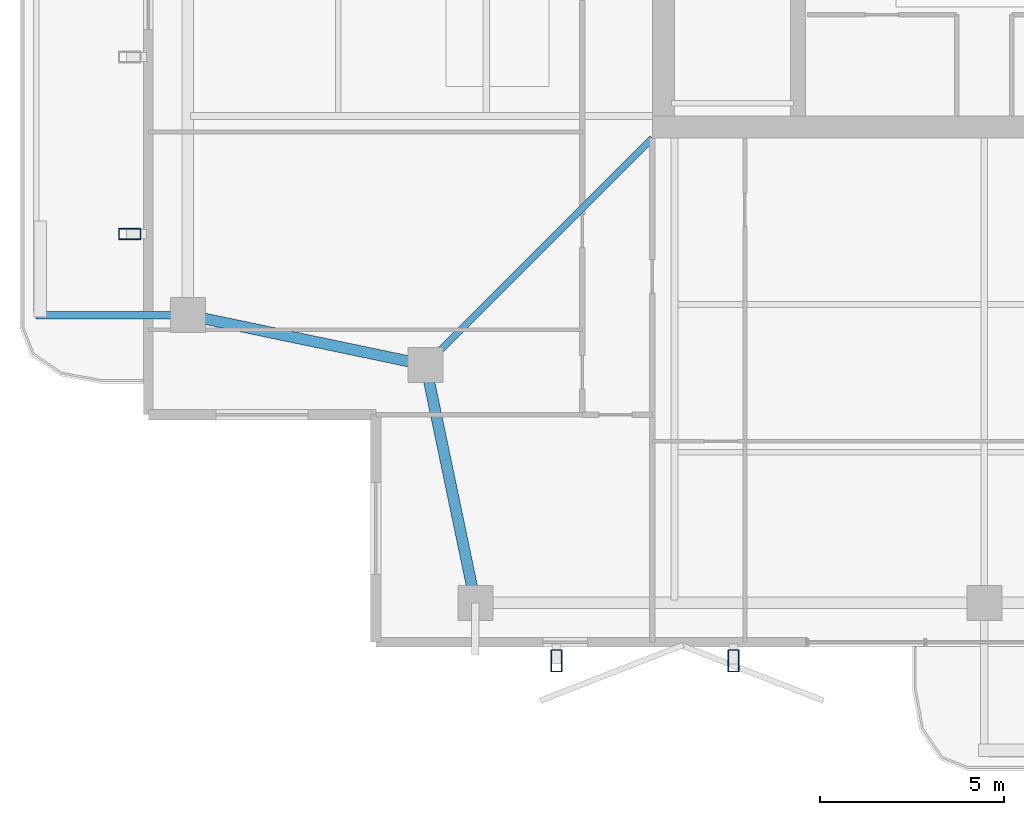
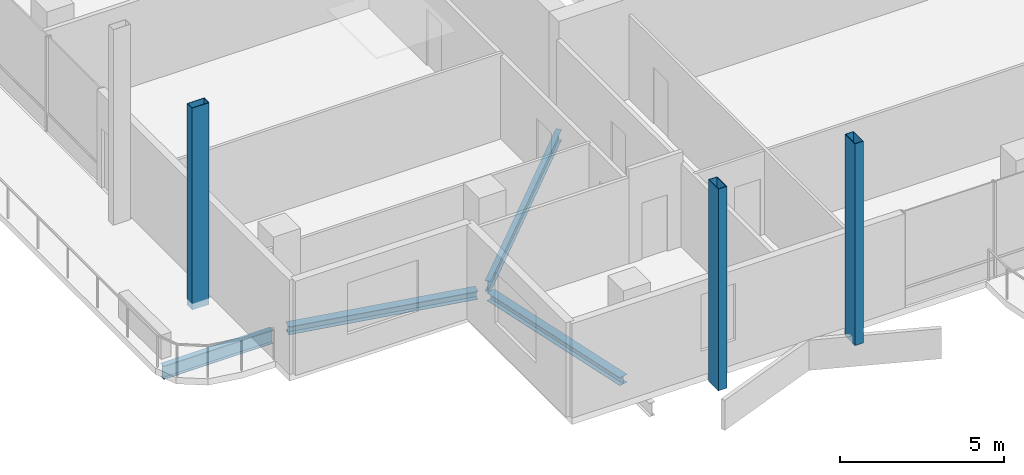
# One storey, part 2 of 20: 4 beams, 3 members.
"""IFC4 building model written with IfcOpenShell, lengths in metres."""

from ifc_helpers import new_model, si_unit, direction, frame, origin, origin_2d, place, context, subcontext, project, spatial, hollow_rectangle, i_section, extrude, material, material_profile, profile_set, type_object, element, save


model = new_model("IFC4")

# Units and contexts
model_context = context("Model", 3, precision=1e-05, world=origin(), true_north=direction((0.0, 1.0)))
body_context = subcontext(model_context, "Body", "Model", "MODEL_VIEW")
ifc_project = project(units=[si_unit("LENGTHUNIT", "METRE"), si_unit("AREAUNIT", "SQUARE_METRE"), si_unit("VOLUMEUNIT", "CUBIC_METRE"), si_unit("PLANEANGLEUNIT", "RADIAN"), si_unit("MASSUNIT", "GRAM", prefix="KILO")], contexts=[model_context])

# Site, building, storey
site_placement = place(None, origin())
site = spatial("IfcSite", under=ifc_project, at=site_placement, CompositionType="ELEMENT")
building_placement = place(site_placement, origin())
building = spatial("IfcBuilding", under=site, at=building_placement, Name="Belovzor Exchange Tower", CompositionType="ELEMENT")
storey_placement = place(building_placement, frame((0.0, 0.0, 321.75)))
storey = spatial("IfcBuildingStorey", under=building, at=storey_placement, Name="L80", CompositionType="ELEMENT", Elevation=321.75)

# Beam
ifc_material_1 = material(Name="Steel S355", Category="steel")
ifc_material_profile_1 = material_profile(ifc_material_1, i_section(OverallWidth=0.199951171875, OverallDepth=0.5, WebThickness=0.01025390625, FlangeThickness=0.01611328125, at=origin_2d()))
ifc_profile_set_1 = profile_set([ifc_material_profile_1], Name="Steel S355")
beam_type_1 = type_object("IfcBeamType", Name="Planted Balcony Cantilever Beam IPE 500", PredefinedType="BEAM", material=ifc_profile_set_1)
beam_1_placement = place(storey_placement, frame((6.93896484375, 15.0, -0.489990234375), z_axis=(-1.0, 0.0, 0.0), x_axis=(0.0, -1.0, 0.0)))
element("IfcBeam", 1, at=beam_1_placement, inside=storey, type_object=beam_type_1, Name="BC-500 Planted Balcony Cantilever Beam IPE 500", PredefinedType="BEAM", context=body_context, shape_type="SweptSolid", body=[
    extrude(i_section(OverallWidth=0.199951171875, OverallDepth=0.5, WebThickness=0.01025390625, FlangeThickness=0.01611328125, at=origin_2d()), origin(), (0.0, 0.0, 1.0), 3.849853515625),
])

# Members
ifc_material_2 = material(Name="Extruded Architectural Terracotta on Steel S355 Carrier", Category="masonry")
ifc_material_profile_2 = material_profile(ifc_material_2, hollow_rectangle(XDim=0.300048828125, YDim=0.60009765625, WallThickness=0.01611328125, at=origin_2d()))
ifc_profile_set_2 = profile_set([ifc_material_profile_2], Name="Extruded Architectural Terracotta on Steel S355 Carrier")
member_type = type_object("IfcMemberType", Name="Upper Crown Terracotta Fin Assembly 550", PredefinedType="USERDEFINED", material=ifc_profile_set_2)
for number, where, z_axis, x_axis, name in (
    (2, (17.199951171875, 5.625, -0.239990234375), (0.0, 0.0, 1.0), (1.0, 0.0, 0.0), "FIN-TC055 Terracotta Facade Fin L80 S1"),
    (3, (5.625, 17.199951171875, -0.239990234375), (0.0, 0.0, 1.0), (0.0, 1.0, 0.0), "FIN-TC055 Terracotta Facade Fin L80 W1"),
    (4, (22.0, 5.625, -0.239990234375), (0.0, 0.0, 1.0), (1.0, 0.0, 0.0), "FIN-TC055 Terracotta Facade Fin L80 S2"),
):
    element("IfcMember", number, at=place(storey_placement, frame(where, z_axis=z_axis, x_axis=x_axis)), inside=storey, type_object=member_type, Name=name, ObjectType="FIN", PredefinedType="USERDEFINED", context=body_context, shape_type="SweptSolid", body=[
        extrude(hollow_rectangle(XDim=0.300048828125, YDim=0.60009765625, WallThickness=0.01611328125, at=origin_2d()), origin(), (0.0, 0.0, 1.0), 7.5),
    ])

# Beams
ifc_material_3 = material(Name="Steel S355", Category="steel")
ifc_material_profile_3 = material_profile(ifc_material_3, i_section(OverallWidth=0.179931640625, OverallDepth=0.39990234375, WebThickness=0.008544921875, FlangeThickness=0.013427734375, at=origin_2d()))
ifc_profile_set_3 = profile_set([ifc_material_profile_3], Name="Steel S355")
beam_type_2 = type_object("IfcBeamType", Name="Zone 5-6 Radial Composite Floor Beam IPE 400", PredefinedType="BEAM", material=ifc_profile_set_3)
beam_2_placement = place(storey_placement, frame((19.800048828125, 19.800048828125, -0.43994140625), z_axis=(-0.707106781187, -0.707106781187, 0.0), x_axis=(0.707106781187, -0.707106781187, 0.0)))
element("IfcBeam", 5, at=beam_2_placement, inside=storey, type_object=beam_type_2, Name="FB-400 Zone 5-6 Radial Composite Floor Beam IPE 400", PredefinedType="BEAM", context=body_context, shape_type="SweptSolid", body=[
    extrude(i_section(OverallWidth=0.179931640625, OverallDepth=0.39990234375, WebThickness=0.008544921875, FlangeThickness=0.013427734375, at=origin_2d()), origin(), (0.0, 0.0, 1.0), 8.361083984375),
])
ifc_material_4 = material(Name="Steel S355", Category="steel")
ifc_material_profile_4 = material_profile(ifc_material_4, i_section(OverallWidth=0.300048828125, OverallDepth=0.300048828125, WebThickness=0.008544921875, FlangeThickness=0.013916015625, at=origin_2d()))
ifc_profile_set_4 = profile_set([ifc_material_profile_4], Name="Steel S355")
beam_type_3 = type_object("IfcBeamType", Name="Zone 6 Primary Girder HEA 300", PredefinedType="BEAM", material=ifc_profile_set_4)
for number, where, z_axis, x_axis, name in (
    (6, (13.7041015625, 13.39404296875, -0.389892578125), (0.204722380619, -0.978820078908, 0.0), (0.978820078908, 0.204722380619, 0.0), "FG-Z6 Zone 6 Primary Girder HEA 300"),
    (7, (7.4560546875, 14.946044921875, -0.389892578125), (0.978820078908, -0.204722380619, 0.0), (0.204722380619, 0.978820078908, 0.0), "FG-Z6 Zone 6 Primary Girder HEA 300"),
):
    element("IfcBeam", number, at=place(storey_placement, frame(where, z_axis=z_axis, x_axis=x_axis)), inside=storey, type_object=beam_type_3, Name=name, PredefinedType="BEAM", context=body_context, shape_type="SweptSolid", body=[
        extrude(i_section(OverallWidth=0.300048828125, OverallDepth=0.300048828125, WebThickness=0.008544921875, FlangeThickness=0.013916015625, at=origin_2d()), origin(), (0.0, 0.0, 1.0), 6.06640625),
    ])

save(model, "model.ifc")
